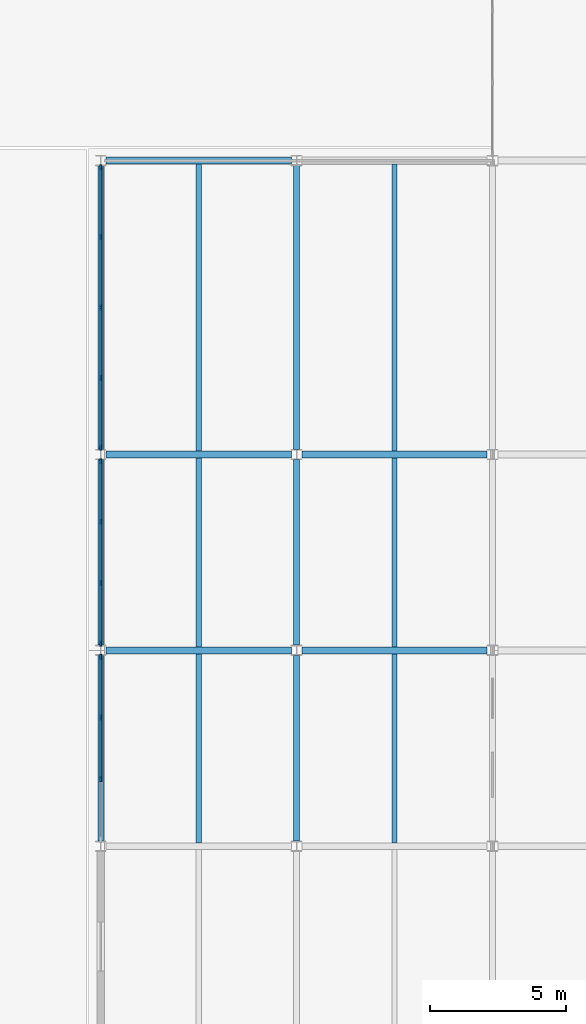
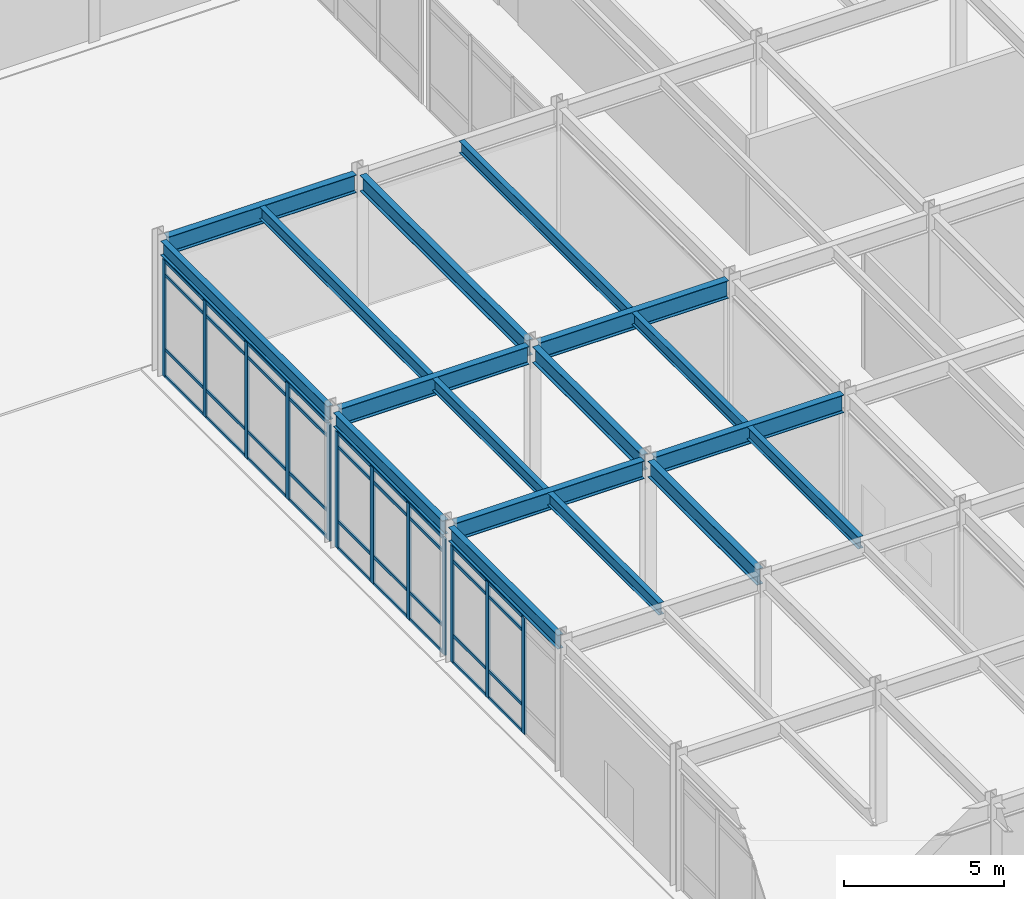
# One storey, part 44 of 104: 48 members, 17 beams, 3 elements without a shape of their own.
"""IFC4 building model written with IfcOpenShell, lengths in metres."""

from ifc_helpers import new_model, si_unit, direction, frame, origin, origin_2d, place, context, subcontext, project, spatial, rectangle, i_section, extrude, material, material_profile, profile_set, type_object, element, aggregate, save


model = new_model("IFC4")

# Units and contexts
model_context = context("Model", 3, precision=1e-05, world=origin(), true_north=direction((0.0, 1.0)))
body_context = subcontext(model_context, "Body", "Model", "MODEL_VIEW")
ifc_project = project(units=[si_unit("LENGTHUNIT", "METRE"), si_unit("AREAUNIT", "SQUARE_METRE"), si_unit("VOLUMEUNIT", "CUBIC_METRE"), si_unit("PLANEANGLEUNIT", "RADIAN"), si_unit("MASSUNIT", "GRAM", prefix="KILO")], contexts=[model_context])

# Site, building, storey
site_placement = place(None, origin())
site = spatial("IfcSite", under=ifc_project, at=site_placement, CompositionType="ELEMENT")
building_placement = place(site_placement, origin())
building = spatial("IfcBuilding", under=site, at=building_placement, Name="Vaelcorin Mobility Hub", CompositionType="ELEMENT")
storey_placement = place(building_placement, origin())
storey = spatial("IfcBuildingStorey", under=building, at=storey_placement, Name="L00", CompositionType="ELEMENT", Elevation=0.0)

# Beams
ifc_material_1 = material(Name="Steel ASTM A992 Grade 50", Category="steel")
ifc_material_profile_1 = material_profile(ifc_material_1, i_section(OverallWidth=0.19091796875, OverallDepth=0.4599609375, WebThickness=0.010009765625, FlangeThickness=0.01611328125, FilletRadius=0.012939453125, at=origin_2d()), Name="W18X55")
ifc_profile_set_1 = profile_set([ifc_material_profile_1], Name="Steel ASTM A992 Grade 50")
beam_type_1 = type_object("IfcBeamType", Name="BM-W18X55", PredefinedType="JOIST", material=ifc_profile_set_1)
for number, where, z_axis, x_axis, name in (
    (1, (157.199951171875, 34.925048828125, 4.909912109375), (0.0, 1.0, 0.0), (-1.0, 0.0, 0.0), "L00 Beam V5-L00-J-01-05-1"),
    (2, (157.199951171875, 42.125, 4.909912109375), (0.0, 1.0, 0.0), (-1.0, 0.0, 0.0), "L00 Beam V5-L00-J-01-06-1"),
):
    element("IfcBeam", number, at=place(storey_placement, frame(where, z_axis=z_axis, x_axis=x_axis)), inside=storey, type_object=beam_type_1, Name=name, PredefinedType="JOIST", context=body_context, shape_type="SweptSolid", body=[
        extrude(i_section(OverallWidth=0.19091796875, OverallDepth=0.4599609375, WebThickness=0.010009765625, FlangeThickness=0.01611328125, FilletRadius=0.012939453125, at=origin_2d()), origin(), (0.0, 0.0, 1.0), 6.949951171875),
    ])
beam_1_placement = place(storey_placement, frame((157.199951171875, 49.324951171875, 4.909912109375), z_axis=(0.0, 1.0, 0.0), x_axis=(-1.0, 0.0, 0.0)))
element("IfcBeam", 3, at=beam_1_placement, inside=storey, type_object=beam_type_1, Name="L00 Beam V5-L00-J-01-07-1", PredefinedType="JOIST", context=body_context, shape_type="SweptSolid", body=[
    extrude(i_section(OverallWidth=0.19091796875, OverallDepth=0.4599609375, WebThickness=0.010009765625, FlangeThickness=0.01611328125, FilletRadius=0.012939453125, at=origin_2d()), origin(), (0.0, 0.0, 1.0), 10.550048828125),
])
for number, where, z_axis, x_axis, name in (
    (4, (164.39990234375, 34.925048828125, 4.909912109375), (0.0, 1.0, 0.0), (-1.0, 0.0, 0.0), "L00 Beam V5-L00-J-02-05-1"),
    (5, (164.39990234375, 42.125, 4.909912109375), (0.0, 1.0, 0.0), (-1.0, 0.0, 0.0), "L00 Beam V5-L00-J-02-06-1"),
):
    element("IfcBeam", number, at=place(storey_placement, frame(where, z_axis=z_axis, x_axis=x_axis)), inside=storey, type_object=beam_type_1, Name=name, PredefinedType="JOIST", context=body_context, shape_type="SweptSolid", body=[
        extrude(i_section(OverallWidth=0.19091796875, OverallDepth=0.4599609375, WebThickness=0.010009765625, FlangeThickness=0.01611328125, FilletRadius=0.012939453125, at=origin_2d()), origin(), (0.0, 0.0, 1.0), 6.949951171875),
    ])
beam_2_placement = place(storey_placement, frame((164.39990234375, 49.324951171875, 4.909912109375), z_axis=(0.0, 1.0, 0.0), x_axis=(-1.0, 0.0, 0.0)))
element("IfcBeam", 6, at=beam_2_placement, inside=storey, type_object=beam_type_1, Name="L00 Beam V5-L00-J-02-07-1", PredefinedType="JOIST", context=body_context, shape_type="SweptSolid", body=[
    extrude(i_section(OverallWidth=0.19091796875, OverallDepth=0.4599609375, WebThickness=0.010009765625, FlangeThickness=0.01611328125, FilletRadius=0.012939453125, at=origin_2d()), origin(), (0.0, 0.0, 1.0), 10.550048828125),
])
ifc_material_profile_2 = material_profile(ifc_material_1, i_section(OverallWidth=0.2099609375, OverallDepth=0.535888671875, WebThickness=0.010986328125, FlangeThickness=0.017333984375, FilletRadius=0.013916015625, at=origin_2d()), Name="W21X68")
ifc_profile_set_2 = profile_set([ifc_material_profile_2], Name="Steel ASTM A992 Grade 50")
beam_type_2 = type_object("IfcBeamType", Name="BM-W21X68", PredefinedType="SPANDREL", material=ifc_profile_set_2)
for number, where, z_axis, x_axis, name in (
    (7, (153.60009765625, 34.988037109375, 4.8720703125), (0.0, 1.0, 0.0), (-1.0, 0.0, 0.0), "L00 Beam V5-L00-GY-01-05"),
    (8, (153.60009765625, 42.18798828125, 4.8720703125), (0.0, 1.0, 0.0), (-1.0, 0.0, 0.0), "L00 Beam V5-L00-GY-01-06"),
):
    element("IfcBeam", number, at=place(storey_placement, frame(where, z_axis=z_axis, x_axis=x_axis)), inside=storey, type_object=beam_type_2, Name=name, PredefinedType="SPANDREL", context=body_context, shape_type="SweptSolid", body=[
        extrude(i_section(OverallWidth=0.2099609375, OverallDepth=0.535888671875, WebThickness=0.010986328125, FlangeThickness=0.017333984375, FilletRadius=0.013916015625, at=origin_2d()), origin(), (0.0, 0.0, 1.0), 6.823974609375),
    ])
beam_3_placement = place(storey_placement, frame((153.60009765625, 49.387939453125, 4.8720703125), z_axis=(0.0, 1.0, 0.0), x_axis=(-1.0, 0.0, 0.0)))
element("IfcBeam", 9, at=beam_3_placement, inside=storey, type_object=beam_type_2, Name="L00 Beam V5-L00-GY-01-07", PredefinedType="SPANDREL", context=body_context, shape_type="SweptSolid", body=[
    extrude(i_section(OverallWidth=0.2099609375, OverallDepth=0.535888671875, WebThickness=0.010986328125, FlangeThickness=0.017333984375, FilletRadius=0.013916015625, at=origin_2d()), origin(), (0.0, 0.0, 1.0), 10.424072265625),
])
ifc_material_profile_3 = material_profile(ifc_material_1, i_section(OverallWidth=0.22900390625, OverallDepth=0.612060546875, WebThickness=0.011962890625, FlangeThickness=0.01953125, FilletRadius=0.014892578125, at=origin_2d()), Name="W24X84")
ifc_profile_set_3 = profile_set([ifc_material_profile_3], Name="Steel ASTM A992 Grade 50")
beam_type_3 = type_object("IfcBeamType", Name="BM-W24X84", PredefinedType="BEAM", material=ifc_profile_set_3)
for number, where, z_axis, x_axis, name in (
    (10, (160.800048828125, 34.988037109375, 4.833984375), (0.0, 1.0, 0.0), (-1.0, 0.0, 0.0), "L00 Beam V5-L00-GY-02-05"),
    (11, (160.800048828125, 42.18798828125, 4.833984375), (0.0, 1.0, 0.0), (-1.0, 0.0, 0.0), "L00 Beam V5-L00-GY-02-06"),
):
    element("IfcBeam", number, at=place(storey_placement, frame(where, z_axis=z_axis, x_axis=x_axis)), inside=storey, type_object=beam_type_3, Name=name, PredefinedType="BEAM", context=body_context, shape_type="SweptSolid", body=[
        extrude(i_section(OverallWidth=0.22900390625, OverallDepth=0.612060546875, WebThickness=0.011962890625, FlangeThickness=0.01953125, FilletRadius=0.014892578125, at=origin_2d()), origin(), (0.0, 0.0, 1.0), 6.823974609375),
    ])
beam_4_placement = place(storey_placement, frame((160.800048828125, 49.387939453125, 4.833984375), z_axis=(0.0, 1.0, 0.0), x_axis=(-1.0, 0.0, 0.0)))
element("IfcBeam", 12, at=beam_4_placement, inside=storey, type_object=beam_type_3, Name="L00 Beam V5-L00-GY-02-07", PredefinedType="BEAM", context=body_context, shape_type="SweptSolid", body=[
    extrude(i_section(OverallWidth=0.22900390625, OverallDepth=0.612060546875, WebThickness=0.011962890625, FlangeThickness=0.01953125, FilletRadius=0.014892578125, at=origin_2d()), origin(), (0.0, 0.0, 1.0), 10.424072265625),
])
ifc_material_profile_4 = material_profile(ifc_material_1, i_section(OverallWidth=0.25390625, OverallDepth=0.68310546875, WebThickness=0.012451171875, FlangeThickness=0.018798828125, FilletRadius=0.01611328125, at=origin_2d()), Name="W27X94")
ifc_profile_set_4 = profile_set([ifc_material_profile_4], Name="Steel ASTM A992 Grade 50")
beam_type_4 = type_object("IfcBeamType", Name="BM-W27X94", PredefinedType="BEAM", material=ifc_profile_set_4)
beam_5_placement = place(storey_placement, frame((153.7958984375, 42.0, 4.798095703125), z_axis=(1.0, 0.0, 0.0), x_axis=(0.0, 1.0, 0.0)))
element("IfcBeam", 13, at=beam_5_placement, inside=storey, type_object=beam_type_4, Name="L00 Beam V5-L00-GX-06-01", PredefinedType="BEAM", context=body_context, shape_type="SweptSolid", body=[
    extrude(i_section(OverallWidth=0.25390625, OverallDepth=0.68310546875, WebThickness=0.012451171875, FlangeThickness=0.018798828125, FilletRadius=0.01611328125, at=origin_2d()), origin(), (0.0, 0.0, 1.0), 6.80810546875),
])
beam_6_placement = place(storey_placement, frame((160.99609375, 42.0, 4.798095703125), z_axis=(1.0, 0.0, 0.0), x_axis=(0.0, 1.0, 0.0)))
element("IfcBeam", 14, at=beam_6_placement, inside=storey, type_object=beam_type_4, Name="L00 Beam V5-L00-GX-06-02", PredefinedType="BEAM", context=body_context, shape_type="SweptSolid", body=[
    extrude(i_section(OverallWidth=0.25390625, OverallDepth=0.68310546875, WebThickness=0.012451171875, FlangeThickness=0.018798828125, FilletRadius=0.01611328125, at=origin_2d()), origin(), (0.0, 0.0, 1.0), 6.807861328125),
])
beam_7_placement = place(storey_placement, frame((153.7958984375, 49.199951171875, 4.798095703125), z_axis=(1.0, 0.0, 0.0), x_axis=(0.0, 1.0, 0.0)))
element("IfcBeam", 15, at=beam_7_placement, inside=storey, type_object=beam_type_4, Name="L00 Beam V5-L00-GX-07-01", PredefinedType="BEAM", context=body_context, shape_type="SweptSolid", body=[
    extrude(i_section(OverallWidth=0.25390625, OverallDepth=0.68310546875, WebThickness=0.012451171875, FlangeThickness=0.018798828125, FilletRadius=0.01611328125, at=origin_2d()), origin(), (0.0, 0.0, 1.0), 6.80810546875),
])
beam_8_placement = place(storey_placement, frame((160.99609375, 49.199951171875, 4.798095703125), z_axis=(1.0, 0.0, 0.0), x_axis=(0.0, 1.0, 0.0)))
element("IfcBeam", 16, at=beam_8_placement, inside=storey, type_object=beam_type_4, Name="L00 Beam V5-L00-GX-07-02", PredefinedType="BEAM", context=body_context, shape_type="SweptSolid", body=[
    extrude(i_section(OverallWidth=0.25390625, OverallDepth=0.68310546875, WebThickness=0.012451171875, FlangeThickness=0.018798828125, FilletRadius=0.01611328125, at=origin_2d()), origin(), (0.0, 0.0, 1.0), 6.807861328125),
])
beam_9_placement = place(storey_placement, frame((153.7958984375, 60.0, 4.798095703125), z_axis=(1.0, 0.0, 0.0), x_axis=(0.0, 1.0, 0.0)))
element("IfcBeam", 17, at=beam_9_placement, inside=storey, type_object=beam_type_4, Name="L00 Beam V5-L00-GX-08-01", PredefinedType="BEAM", context=body_context, shape_type="SweptSolid", body=[
    extrude(i_section(OverallWidth=0.25390625, OverallDepth=0.68310546875, WebThickness=0.012451171875, FlangeThickness=0.018798828125, FilletRadius=0.01611328125, at=origin_2d()), origin(), (0.0, 0.0, 1.0), 6.80810546875),
])

# Curtain wall, members
ifc_material_2 = material(Name="Anodised aluminium 6063-T6", Category="aluminium")
curtain_wall_type = type_object("IfcCurtainWallType", Name="CW-MOB-A", PredefinedType="NOTDEFINED", material=ifc_material_2)
curtain_wall_1_placement = place(storey_placement, origin())
curtain_wall_1 = element("IfcCurtainWall", 18, at=curtain_wall_1_placement, inside=storey, type_object=curtain_wall_type, Name="L00 Curtain Wall CW-V5-L00-WS-05", PredefinedType="NOTDEFINED")
ifc_material_profile_5 = material_profile(ifc_material_2, rectangle(XDim=0.070068359375, YDim=0.199951171875, at=origin_2d()), Name="ALU-M70X200")
ifc_profile_set_5 = profile_set([ifc_material_profile_5], Name="Anodised aluminium 6063-T6")
member_type_1 = type_object("IfcMemberType", Name="CW-MULL-200", PredefinedType="MULLION", material=ifc_profile_set_5)
member_1_placement = place(storey_placement, frame((153.60009765625, 37.2734375, 0.0), z_axis=(0.0, 0.0, 1.0), x_axis=(-1.0, 0.0, 0.0)))
member_1 = element("IfcMember", 19, at=member_1_placement, type_object=member_type_1, Name="CW7 mullion 2", PredefinedType="MULLION", context=body_context, shape_type="SweptSolid", body=[
    extrude(rectangle(XDim=0.070068359375, YDim=0.199951171875, at=origin_2d()), origin(), (0.0, 0.0, 1.0), 4.44189453125),
])
member_2_placement = place(storey_placement, frame((153.60009765625, 39.526611328125, 0.0), z_axis=(0.0, 0.0, 1.0), x_axis=(-1.0, 0.0, 0.0)))
member_2 = element("IfcMember", 20, at=member_2_placement, type_object=member_type_1, Name="CW7 mullion 3", PredefinedType="MULLION", context=body_context, shape_type="SweptSolid", body=[
    extrude(rectangle(XDim=0.070068359375, YDim=0.199951171875, at=origin_2d()), origin(), (0.0, 0.0, 1.0), 4.44189453125),
])
member_3_placement = place(storey_placement, frame((153.60009765625, 41.75, 0.0), z_axis=(0.0, 0.0, 1.0), x_axis=(-1.0, 0.0, 0.0)))
member_3 = element("IfcMember", 21, at=member_3_placement, type_object=member_type_1, Name="CW7 mullion 4", PredefinedType="MULLION", context=body_context, shape_type="SweptSolid", body=[
    extrude(rectangle(XDim=0.070068359375, YDim=0.199951171875, at=origin_2d()), origin(), (0.0, 0.0, 1.0), 4.44189453125),
])

curtain_wall_2_placement = place(storey_placement, origin())
curtain_wall_2 = element("IfcCurtainWall", 22, at=curtain_wall_2_placement, inside=storey, type_object=curtain_wall_type, Name="L00 Curtain Wall CW-V5-L00-WS-06", PredefinedType="NOTDEFINED")
member_4_placement = place(storey_placement, frame((153.60009765625, 42.25, 0.0), z_axis=(0.0, 0.0, 1.0), x_axis=(-1.0, 0.0, 0.0)))
member_4 = element("IfcMember", 23, at=member_4_placement, type_object=member_type_1, Name="CW7 mullion 1", PredefinedType="MULLION", context=body_context, shape_type="SweptSolid", body=[
    extrude(rectangle(XDim=0.070068359375, YDim=0.199951171875, at=origin_2d()), origin(), (0.0, 0.0, 1.0), 4.44189453125),
])
member_5_placement = place(storey_placement, frame((153.60009765625, 44.473388671875, 0.0), z_axis=(0.0, 0.0, 1.0), x_axis=(-1.0, 0.0, 0.0)))
member_5 = element("IfcMember", 24, at=member_5_placement, type_object=member_type_1, Name="CW7 mullion 2", PredefinedType="MULLION", context=body_context, shape_type="SweptSolid", body=[
    extrude(rectangle(XDim=0.070068359375, YDim=0.199951171875, at=origin_2d()), origin(), (0.0, 0.0, 1.0), 4.44189453125),
])
member_6_placement = place(storey_placement, frame((153.60009765625, 46.7265625, 0.0), z_axis=(0.0, 0.0, 1.0), x_axis=(-1.0, 0.0, 0.0)))
member_6 = element("IfcMember", 25, at=member_6_placement, type_object=member_type_1, Name="CW7 mullion 3", PredefinedType="MULLION", context=body_context, shape_type="SweptSolid", body=[
    extrude(rectangle(XDim=0.070068359375, YDim=0.199951171875, at=origin_2d()), origin(), (0.0, 0.0, 1.0), 4.44189453125),
])
member_7_placement = place(storey_placement, frame((153.60009765625, 48.949951171875, 0.0), z_axis=(0.0, 0.0, 1.0), x_axis=(-1.0, 0.0, 0.0)))
member_7 = element("IfcMember", 26, at=member_7_placement, type_object=member_type_1, Name="CW7 mullion 4", PredefinedType="MULLION", context=body_context, shape_type="SweptSolid", body=[
    extrude(rectangle(XDim=0.070068359375, YDim=0.199951171875, at=origin_2d()), origin(), (0.0, 0.0, 1.0), 4.44189453125),
])

curtain_wall_3_placement = place(storey_placement, origin())
curtain_wall_3 = element("IfcCurtainWall", 27, at=curtain_wall_3_placement, inside=storey, type_object=curtain_wall_type, Name="L00 Curtain Wall CW-V5-L00-WS-07", PredefinedType="NOTDEFINED")
member_8_placement = place(storey_placement, frame((153.60009765625, 49.449951171875, 0.0), z_axis=(0.0, 0.0, 1.0), x_axis=(-1.0, 0.0, 0.0)))
member_8 = element("IfcMember", 28, at=member_8_placement, type_object=member_type_1, Name="CW7 mullion 1", PredefinedType="MULLION", context=body_context, shape_type="SweptSolid", body=[
    extrude(rectangle(XDim=0.070068359375, YDim=0.199951171875, at=origin_2d()), origin(), (0.0, 0.0, 1.0), 4.44189453125),
])
member_9_placement = place(storey_placement, frame((153.60009765625, 52.010009765625, 0.0), z_axis=(0.0, 0.0, 1.0), x_axis=(-1.0, 0.0, 0.0)))
member_9 = element("IfcMember", 29, at=member_9_placement, type_object=member_type_1, Name="CW7 mullion 2", PredefinedType="MULLION", context=body_context, shape_type="SweptSolid", body=[
    extrude(rectangle(XDim=0.070068359375, YDim=0.199951171875, at=origin_2d()), origin(), (0.0, 0.0, 1.0), 4.44189453125),
])
member_10_placement = place(storey_placement, frame((153.60009765625, 54.60009765625, 0.0), z_axis=(0.0, 0.0, 1.0), x_axis=(-1.0, 0.0, 0.0)))
member_10 = element("IfcMember", 30, at=member_10_placement, type_object=member_type_1, Name="CW7 mullion 3", PredefinedType="MULLION", context=body_context, shape_type="SweptSolid", body=[
    extrude(rectangle(XDim=0.070068359375, YDim=0.199951171875, at=origin_2d()), origin(), (0.0, 0.0, 1.0), 4.44189453125),
])
member_11_placement = place(storey_placement, frame((153.60009765625, 57.18994140625, 0.0), z_axis=(0.0, 0.0, 1.0), x_axis=(-1.0, 0.0, 0.0)))
member_11 = element("IfcMember", 31, at=member_11_placement, type_object=member_type_1, Name="CW7 mullion 4", PredefinedType="MULLION", context=body_context, shape_type="SweptSolid", body=[
    extrude(rectangle(XDim=0.070068359375, YDim=0.199951171875, at=origin_2d()), origin(), (0.0, 0.0, 1.0), 4.44189453125),
])
member_12_placement = place(storey_placement, frame((153.60009765625, 59.75, 0.0), z_axis=(0.0, 0.0, 1.0), x_axis=(-1.0, 0.0, 0.0)))
member_12 = element("IfcMember", 32, at=member_12_placement, type_object=member_type_1, Name="CW7 mullion 5", PredefinedType="MULLION", context=body_context, shape_type="SweptSolid", body=[
    extrude(rectangle(XDim=0.070068359375, YDim=0.199951171875, at=origin_2d()), origin(), (0.0, 0.0, 1.0), 4.44189453125),
])

# Member
ifc_material_profile_6 = material_profile(ifc_material_2, rectangle(XDim=0.06005859375, YDim=0.1201171875, at=origin_2d()), Name="ALU-T60X120")
ifc_profile_set_6 = profile_set([ifc_material_profile_6], Name="Anodised aluminium 6063-T6")
member_type_2 = type_object("IfcMemberType", Name="CW-TRAN-140", PredefinedType="USERDEFINED", material=ifc_profile_set_6)
member_13_placement = place(storey_placement, frame((153.60009765625, 37.30322265625, 0.030029296875), z_axis=(0.0, 1.0, 0.0), x_axis=(-1.0, 0.0, 0.0)))
member_13 = element("IfcMember", 33, at=member_13_placement, type_object=member_type_2, Name="CW7 transom 2.1", ObjectType="TRANSOM", PredefinedType="USERDEFINED", context=body_context, shape_type="SweptSolid", body=[
    extrude(rectangle(XDim=0.06005859375, YDim=0.1201171875, at=origin_2d()), origin(), (0.0, 0.0, 1.0), 2.193359375),
])

member_14_placement = place(storey_placement, frame((153.60009765625, 37.30322265625, 1.050048828125), z_axis=(0.0, 1.0, 0.0), x_axis=(-1.0, 0.0, 0.0)))
member_14 = element("IfcMember", 34, at=member_14_placement, type_object=member_type_2, Name="CW7 transom 2.2", ObjectType="TRANSOM", PredefinedType="USERDEFINED", context=body_context, shape_type="SweptSolid", body=[
    extrude(rectangle(XDim=0.06005859375, YDim=0.1201171875, at=origin_2d()), origin(), (0.0, 0.0, 1.0), 2.193359375),
])

member_15_placement = place(storey_placement, frame((153.60009765625, 37.30322265625, 3.89208984375), z_axis=(0.0, 1.0, 0.0), x_axis=(-1.0, 0.0, 0.0)))
member_15 = element("IfcMember", 35, at=member_15_placement, type_object=member_type_2, Name="CW7 transom 2.3", ObjectType="TRANSOM", PredefinedType="USERDEFINED", context=body_context, shape_type="SweptSolid", body=[
    extrude(rectangle(XDim=0.06005859375, YDim=0.1201171875, at=origin_2d()), origin(), (0.0, 0.0, 1.0), 2.193359375),
])

member_16_placement = place(storey_placement, frame((153.60009765625, 37.30322265625, 4.412109375), z_axis=(0.0, 1.0, 0.0), x_axis=(-1.0, 0.0, 0.0)))
member_16 = element("IfcMember", 36, at=member_16_placement, type_object=member_type_2, Name="CW7 transom 2.4", ObjectType="TRANSOM", PredefinedType="USERDEFINED", context=body_context, shape_type="SweptSolid", body=[
    extrude(rectangle(XDim=0.06005859375, YDim=0.1201171875, at=origin_2d()), origin(), (0.0, 0.0, 1.0), 2.193359375),
])

member_17_placement = place(storey_placement, frame((153.60009765625, 39.556640625, 0.030029296875), z_axis=(0.0, 1.0, 0.0), x_axis=(-1.0, 0.0, 0.0)))
member_17 = element("IfcMember", 37, at=member_17_placement, type_object=member_type_2, Name="CW7 transom 3.1", ObjectType="TRANSOM", PredefinedType="USERDEFINED", context=body_context, shape_type="SweptSolid", body=[
    extrude(rectangle(XDim=0.06005859375, YDim=0.1201171875, at=origin_2d()), origin(), (0.0, 0.0, 1.0), 2.163330078125),
])

member_18_placement = place(storey_placement, frame((153.60009765625, 39.556640625, 1.050048828125), z_axis=(0.0, 1.0, 0.0), x_axis=(-1.0, 0.0, 0.0)))
member_18 = element("IfcMember", 38, at=member_18_placement, type_object=member_type_2, Name="CW7 transom 3.2", ObjectType="TRANSOM", PredefinedType="USERDEFINED", context=body_context, shape_type="SweptSolid", body=[
    extrude(rectangle(XDim=0.06005859375, YDim=0.1201171875, at=origin_2d()), origin(), (0.0, 0.0, 1.0), 2.163330078125),
])

member_19_placement = place(storey_placement, frame((153.60009765625, 39.556640625, 3.89208984375), z_axis=(0.0, 1.0, 0.0), x_axis=(-1.0, 0.0, 0.0)))
member_19 = element("IfcMember", 39, at=member_19_placement, type_object=member_type_2, Name="CW7 transom 3.3", ObjectType="TRANSOM", PredefinedType="USERDEFINED", context=body_context, shape_type="SweptSolid", body=[
    extrude(rectangle(XDim=0.06005859375, YDim=0.1201171875, at=origin_2d()), origin(), (0.0, 0.0, 1.0), 2.163330078125),
])

member_20_placement = place(storey_placement, frame((153.60009765625, 39.556640625, 4.412109375), z_axis=(0.0, 1.0, 0.0), x_axis=(-1.0, 0.0, 0.0)))
member_20 = element("IfcMember", 40, at=member_20_placement, type_object=member_type_2, Name="CW7 transom 3.4", ObjectType="TRANSOM", PredefinedType="USERDEFINED", context=body_context, shape_type="SweptSolid", body=[
    extrude(rectangle(XDim=0.06005859375, YDim=0.1201171875, at=origin_2d()), origin(), (0.0, 0.0, 1.0), 2.163330078125),
])

aggregate(curtain_wall_1, [member_1, member_2, member_3, member_13, member_14, member_15, member_16, member_17, member_18, member_19, member_20])

member_21_placement = place(storey_placement, frame((153.60009765625, 42.280029296875, 0.030029296875), z_axis=(0.0, 1.0, 0.0), x_axis=(-1.0, 0.0, 0.0)))
member_21 = element("IfcMember", 41, at=member_21_placement, type_object=member_type_2, Name="CW7 transom 1.1", ObjectType="TRANSOM", PredefinedType="USERDEFINED", context=body_context, shape_type="SweptSolid", body=[
    extrude(rectangle(XDim=0.06005859375, YDim=0.1201171875, at=origin_2d()), origin(), (0.0, 0.0, 1.0), 2.163330078125),
])

member_22_placement = place(storey_placement, frame((153.60009765625, 42.280029296875, 1.050048828125), z_axis=(0.0, 1.0, 0.0), x_axis=(-1.0, 0.0, 0.0)))
member_22 = element("IfcMember", 42, at=member_22_placement, type_object=member_type_2, Name="CW7 transom 1.2", ObjectType="TRANSOM", PredefinedType="USERDEFINED", context=body_context, shape_type="SweptSolid", body=[
    extrude(rectangle(XDim=0.06005859375, YDim=0.1201171875, at=origin_2d()), origin(), (0.0, 0.0, 1.0), 2.163330078125),
])

member_23_placement = place(storey_placement, frame((153.60009765625, 42.280029296875, 3.89208984375), z_axis=(0.0, 1.0, 0.0), x_axis=(-1.0, 0.0, 0.0)))
member_23 = element("IfcMember", 43, at=member_23_placement, type_object=member_type_2, Name="CW7 transom 1.3", ObjectType="TRANSOM", PredefinedType="USERDEFINED", context=body_context, shape_type="SweptSolid", body=[
    extrude(rectangle(XDim=0.06005859375, YDim=0.1201171875, at=origin_2d()), origin(), (0.0, 0.0, 1.0), 2.163330078125),
])

member_24_placement = place(storey_placement, frame((153.60009765625, 42.280029296875, 4.412109375), z_axis=(0.0, 1.0, 0.0), x_axis=(-1.0, 0.0, 0.0)))
member_24 = element("IfcMember", 44, at=member_24_placement, type_object=member_type_2, Name="CW7 transom 1.4", ObjectType="TRANSOM", PredefinedType="USERDEFINED", context=body_context, shape_type="SweptSolid", body=[
    extrude(rectangle(XDim=0.06005859375, YDim=0.1201171875, at=origin_2d()), origin(), (0.0, 0.0, 1.0), 2.163330078125),
])

member_25_placement = place(storey_placement, frame((153.60009765625, 44.50341796875, 0.030029296875), z_axis=(0.0, 1.0, 0.0), x_axis=(-1.0, 0.0, 0.0)))
member_25 = element("IfcMember", 45, at=member_25_placement, type_object=member_type_2, Name="CW7 transom 2.1", ObjectType="TRANSOM", PredefinedType="USERDEFINED", context=body_context, shape_type="SweptSolid", body=[
    extrude(rectangle(XDim=0.06005859375, YDim=0.1201171875, at=origin_2d()), origin(), (0.0, 0.0, 1.0), 2.193359375),
])

member_26_placement = place(storey_placement, frame((153.60009765625, 44.50341796875, 1.050048828125), z_axis=(0.0, 1.0, 0.0), x_axis=(-1.0, 0.0, 0.0)))
member_26 = element("IfcMember", 46, at=member_26_placement, type_object=member_type_2, Name="CW7 transom 2.2", ObjectType="TRANSOM", PredefinedType="USERDEFINED", context=body_context, shape_type="SweptSolid", body=[
    extrude(rectangle(XDim=0.06005859375, YDim=0.1201171875, at=origin_2d()), origin(), (0.0, 0.0, 1.0), 2.193359375),
])

member_27_placement = place(storey_placement, frame((153.60009765625, 44.50341796875, 3.89208984375), z_axis=(0.0, 1.0, 0.0), x_axis=(-1.0, 0.0, 0.0)))
member_27 = element("IfcMember", 47, at=member_27_placement, type_object=member_type_2, Name="CW7 transom 2.3", ObjectType="TRANSOM", PredefinedType="USERDEFINED", context=body_context, shape_type="SweptSolid", body=[
    extrude(rectangle(XDim=0.06005859375, YDim=0.1201171875, at=origin_2d()), origin(), (0.0, 0.0, 1.0), 2.193359375),
])

member_28_placement = place(storey_placement, frame((153.60009765625, 44.50341796875, 4.412109375), z_axis=(0.0, 1.0, 0.0), x_axis=(-1.0, 0.0, 0.0)))
member_28 = element("IfcMember", 48, at=member_28_placement, type_object=member_type_2, Name="CW7 transom 2.4", ObjectType="TRANSOM", PredefinedType="USERDEFINED", context=body_context, shape_type="SweptSolid", body=[
    extrude(rectangle(XDim=0.06005859375, YDim=0.1201171875, at=origin_2d()), origin(), (0.0, 0.0, 1.0), 2.193359375),
])

member_29_placement = place(storey_placement, frame((153.60009765625, 46.756591796875, 0.030029296875), z_axis=(0.0, 1.0, 0.0), x_axis=(-1.0, 0.0, 0.0)))
member_29 = element("IfcMember", 49, at=member_29_placement, type_object=member_type_2, Name="CW7 transom 3.1", ObjectType="TRANSOM", PredefinedType="USERDEFINED", context=body_context, shape_type="SweptSolid", body=[
    extrude(rectangle(XDim=0.06005859375, YDim=0.1201171875, at=origin_2d()), origin(), (0.0, 0.0, 1.0), 2.163330078125),
])

member_30_placement = place(storey_placement, frame((153.60009765625, 46.756591796875, 1.050048828125), z_axis=(0.0, 1.0, 0.0), x_axis=(-1.0, 0.0, 0.0)))
member_30 = element("IfcMember", 50, at=member_30_placement, type_object=member_type_2, Name="CW7 transom 3.2", ObjectType="TRANSOM", PredefinedType="USERDEFINED", context=body_context, shape_type="SweptSolid", body=[
    extrude(rectangle(XDim=0.06005859375, YDim=0.1201171875, at=origin_2d()), origin(), (0.0, 0.0, 1.0), 2.163330078125),
])

member_31_placement = place(storey_placement, frame((153.60009765625, 46.756591796875, 3.89208984375), z_axis=(0.0, 1.0, 0.0), x_axis=(-1.0, 0.0, 0.0)))
member_31 = element("IfcMember", 51, at=member_31_placement, type_object=member_type_2, Name="CW7 transom 3.3", ObjectType="TRANSOM", PredefinedType="USERDEFINED", context=body_context, shape_type="SweptSolid", body=[
    extrude(rectangle(XDim=0.06005859375, YDim=0.1201171875, at=origin_2d()), origin(), (0.0, 0.0, 1.0), 2.163330078125),
])

member_32_placement = place(storey_placement, frame((153.60009765625, 46.756591796875, 4.412109375), z_axis=(0.0, 1.0, 0.0), x_axis=(-1.0, 0.0, 0.0)))
member_32 = element("IfcMember", 52, at=member_32_placement, type_object=member_type_2, Name="CW7 transom 3.4", ObjectType="TRANSOM", PredefinedType="USERDEFINED", context=body_context, shape_type="SweptSolid", body=[
    extrude(rectangle(XDim=0.06005859375, YDim=0.1201171875, at=origin_2d()), origin(), (0.0, 0.0, 1.0), 2.163330078125),
])

aggregate(curtain_wall_2, [member_4, member_5, member_6, member_7, member_21, member_22, member_23, member_24, member_25, member_26, member_27, member_28, member_29, member_30, member_31, member_32])

member_33_placement = place(storey_placement, frame((153.60009765625, 49.47998046875, 0.030029296875), z_axis=(0.0, 1.0, 0.0), x_axis=(-1.0, 0.0, 0.0)))
member_33 = element("IfcMember", 53, at=member_33_placement, type_object=member_type_2, Name="CW7 transom 1.1", ObjectType="TRANSOM", PredefinedType="USERDEFINED", context=body_context, shape_type="SweptSolid", body=[
    extrude(rectangle(XDim=0.06005859375, YDim=0.1201171875, at=origin_2d()), origin(), (0.0, 0.0, 1.0), 2.5),
])

member_34_placement = place(storey_placement, frame((153.60009765625, 49.47998046875, 1.050048828125), z_axis=(0.0, 1.0, 0.0), x_axis=(-1.0, 0.0, 0.0)))
member_34 = element("IfcMember", 54, at=member_34_placement, type_object=member_type_2, Name="CW7 transom 1.2", ObjectType="TRANSOM", PredefinedType="USERDEFINED", context=body_context, shape_type="SweptSolid", body=[
    extrude(rectangle(XDim=0.06005859375, YDim=0.1201171875, at=origin_2d()), origin(), (0.0, 0.0, 1.0), 2.5),
])

member_35_placement = place(storey_placement, frame((153.60009765625, 49.47998046875, 3.89208984375), z_axis=(0.0, 1.0, 0.0), x_axis=(-1.0, 0.0, 0.0)))
member_35 = element("IfcMember", 55, at=member_35_placement, type_object=member_type_2, Name="CW7 transom 1.3", ObjectType="TRANSOM", PredefinedType="USERDEFINED", context=body_context, shape_type="SweptSolid", body=[
    extrude(rectangle(XDim=0.06005859375, YDim=0.1201171875, at=origin_2d()), origin(), (0.0, 0.0, 1.0), 2.5),
])

member_36_placement = place(storey_placement, frame((153.60009765625, 49.47998046875, 4.412109375), z_axis=(0.0, 1.0, 0.0), x_axis=(-1.0, 0.0, 0.0)))
member_36 = element("IfcMember", 56, at=member_36_placement, type_object=member_type_2, Name="CW7 transom 1.4", ObjectType="TRANSOM", PredefinedType="USERDEFINED", context=body_context, shape_type="SweptSolid", body=[
    extrude(rectangle(XDim=0.06005859375, YDim=0.1201171875, at=origin_2d()), origin(), (0.0, 0.0, 1.0), 2.5),
])

member_37_placement = place(storey_placement, frame((153.60009765625, 52.0400390625, 0.030029296875), z_axis=(0.0, 1.0, 0.0), x_axis=(-1.0, 0.0, 0.0)))
member_37 = element("IfcMember", 57, at=member_37_placement, type_object=member_type_2, Name="CW7 transom 2.1", ObjectType="TRANSOM", PredefinedType="USERDEFINED", context=body_context, shape_type="SweptSolid", body=[
    extrude(rectangle(XDim=0.06005859375, YDim=0.1201171875, at=origin_2d()), origin(), (0.0, 0.0, 1.0), 2.530029296875),
])

member_38_placement = place(storey_placement, frame((153.60009765625, 52.0400390625, 1.050048828125), z_axis=(0.0, 1.0, 0.0), x_axis=(-1.0, 0.0, 0.0)))
member_38 = element("IfcMember", 58, at=member_38_placement, type_object=member_type_2, Name="CW7 transom 2.2", ObjectType="TRANSOM", PredefinedType="USERDEFINED", context=body_context, shape_type="SweptSolid", body=[
    extrude(rectangle(XDim=0.06005859375, YDim=0.1201171875, at=origin_2d()), origin(), (0.0, 0.0, 1.0), 2.530029296875),
])

member_39_placement = place(storey_placement, frame((153.60009765625, 52.0400390625, 3.89208984375), z_axis=(0.0, 1.0, 0.0), x_axis=(-1.0, 0.0, 0.0)))
member_39 = element("IfcMember", 59, at=member_39_placement, type_object=member_type_2, Name="CW7 transom 2.3", ObjectType="TRANSOM", PredefinedType="USERDEFINED", context=body_context, shape_type="SweptSolid", body=[
    extrude(rectangle(XDim=0.06005859375, YDim=0.1201171875, at=origin_2d()), origin(), (0.0, 0.0, 1.0), 2.530029296875),
])

member_40_placement = place(storey_placement, frame((153.60009765625, 52.0400390625, 4.412109375), z_axis=(0.0, 1.0, 0.0), x_axis=(-1.0, 0.0, 0.0)))
member_40 = element("IfcMember", 60, at=member_40_placement, type_object=member_type_2, Name="CW7 transom 2.4", ObjectType="TRANSOM", PredefinedType="USERDEFINED", context=body_context, shape_type="SweptSolid", body=[
    extrude(rectangle(XDim=0.06005859375, YDim=0.1201171875, at=origin_2d()), origin(), (0.0, 0.0, 1.0), 2.530029296875),
])

member_41_placement = place(storey_placement, frame((153.60009765625, 54.6298828125, 0.030029296875), z_axis=(0.0, 1.0, 0.0), x_axis=(-1.0, 0.0, 0.0)))
member_41 = element("IfcMember", 61, at=member_41_placement, type_object=member_type_2, Name="CW7 transom 3.1", ObjectType="TRANSOM", PredefinedType="USERDEFINED", context=body_context, shape_type="SweptSolid", body=[
    extrude(rectangle(XDim=0.06005859375, YDim=0.1201171875, at=origin_2d()), origin(), (0.0, 0.0, 1.0), 2.530029296875),
])

member_42_placement = place(storey_placement, frame((153.60009765625, 54.6298828125, 1.050048828125), z_axis=(0.0, 1.0, 0.0), x_axis=(-1.0, 0.0, 0.0)))
member_42 = element("IfcMember", 62, at=member_42_placement, type_object=member_type_2, Name="CW7 transom 3.2", ObjectType="TRANSOM", PredefinedType="USERDEFINED", context=body_context, shape_type="SweptSolid", body=[
    extrude(rectangle(XDim=0.06005859375, YDim=0.1201171875, at=origin_2d()), origin(), (0.0, 0.0, 1.0), 2.530029296875),
])

member_43_placement = place(storey_placement, frame((153.60009765625, 54.6298828125, 3.89208984375), z_axis=(0.0, 1.0, 0.0), x_axis=(-1.0, 0.0, 0.0)))
member_43 = element("IfcMember", 63, at=member_43_placement, type_object=member_type_2, Name="CW7 transom 3.3", ObjectType="TRANSOM", PredefinedType="USERDEFINED", context=body_context, shape_type="SweptSolid", body=[
    extrude(rectangle(XDim=0.06005859375, YDim=0.1201171875, at=origin_2d()), origin(), (0.0, 0.0, 1.0), 2.530029296875),
])

member_44_placement = place(storey_placement, frame((153.60009765625, 54.6298828125, 4.412109375), z_axis=(0.0, 1.0, 0.0), x_axis=(-1.0, 0.0, 0.0)))
member_44 = element("IfcMember", 64, at=member_44_placement, type_object=member_type_2, Name="CW7 transom 3.4", ObjectType="TRANSOM", PredefinedType="USERDEFINED", context=body_context, shape_type="SweptSolid", body=[
    extrude(rectangle(XDim=0.06005859375, YDim=0.1201171875, at=origin_2d()), origin(), (0.0, 0.0, 1.0), 2.530029296875),
])

member_45_placement = place(storey_placement, frame((153.60009765625, 57.219970703125, 0.030029296875), z_axis=(0.0, 1.0, 0.0), x_axis=(-1.0, 0.0, 0.0)))
member_45 = element("IfcMember", 65, at=member_45_placement, type_object=member_type_2, Name="CW7 transom 4.1", ObjectType="TRANSOM", PredefinedType="USERDEFINED", context=body_context, shape_type="SweptSolid", body=[
    extrude(rectangle(XDim=0.06005859375, YDim=0.1201171875, at=origin_2d()), origin(), (0.0, 0.0, 1.0), 2.5),
])

member_46_placement = place(storey_placement, frame((153.60009765625, 57.219970703125, 1.050048828125), z_axis=(0.0, 1.0, 0.0), x_axis=(-1.0, 0.0, 0.0)))
member_46 = element("IfcMember", 66, at=member_46_placement, type_object=member_type_2, Name="CW7 transom 4.2", ObjectType="TRANSOM", PredefinedType="USERDEFINED", context=body_context, shape_type="SweptSolid", body=[
    extrude(rectangle(XDim=0.06005859375, YDim=0.1201171875, at=origin_2d()), origin(), (0.0, 0.0, 1.0), 2.5),
])

member_47_placement = place(storey_placement, frame((153.60009765625, 57.219970703125, 3.89208984375), z_axis=(0.0, 1.0, 0.0), x_axis=(-1.0, 0.0, 0.0)))
member_47 = element("IfcMember", 67, at=member_47_placement, type_object=member_type_2, Name="CW7 transom 4.3", ObjectType="TRANSOM", PredefinedType="USERDEFINED", context=body_context, shape_type="SweptSolid", body=[
    extrude(rectangle(XDim=0.06005859375, YDim=0.1201171875, at=origin_2d()), origin(), (0.0, 0.0, 1.0), 2.5),
])

member_48_placement = place(storey_placement, frame((153.60009765625, 57.219970703125, 4.412109375), z_axis=(0.0, 1.0, 0.0), x_axis=(-1.0, 0.0, 0.0)))
member_48 = element("IfcMember", 68, at=member_48_placement, type_object=member_type_2, Name="CW7 transom 4.4", ObjectType="TRANSOM", PredefinedType="USERDEFINED", context=body_context, shape_type="SweptSolid", body=[
    extrude(rectangle(XDim=0.06005859375, YDim=0.1201171875, at=origin_2d()), origin(), (0.0, 0.0, 1.0), 2.5),
])

aggregate(curtain_wall_3, [member_8, member_9, member_10, member_11, member_12, member_33, member_34, member_35, member_36, member_37, member_38, member_39, member_40, member_41, member_42, member_43, member_44, member_45, member_46, member_47, member_48])

save(model, "model.ifc")
